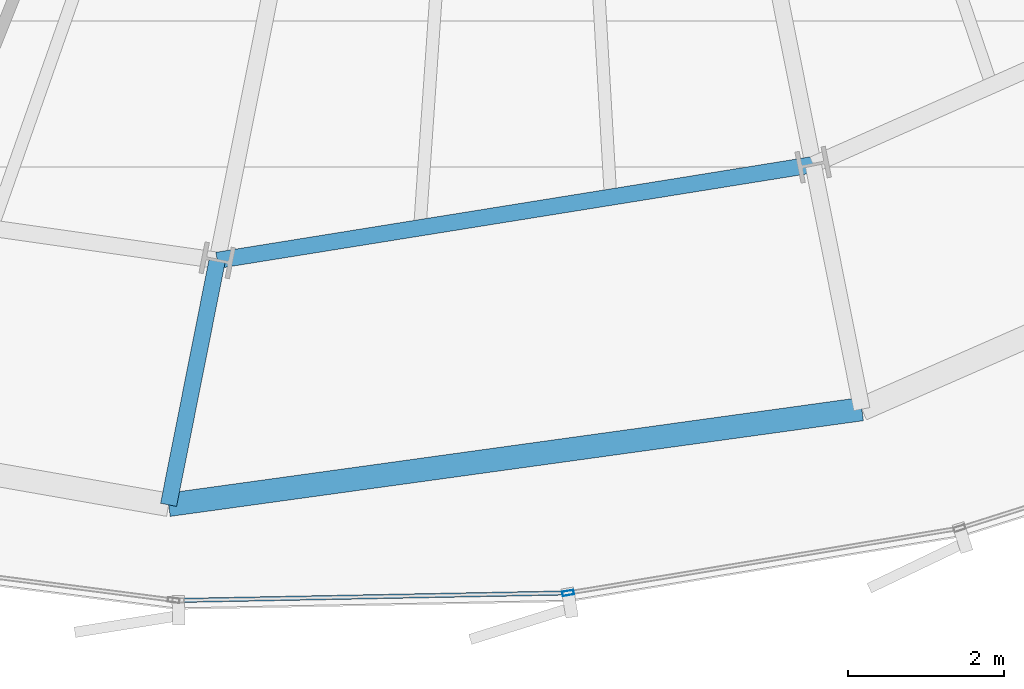
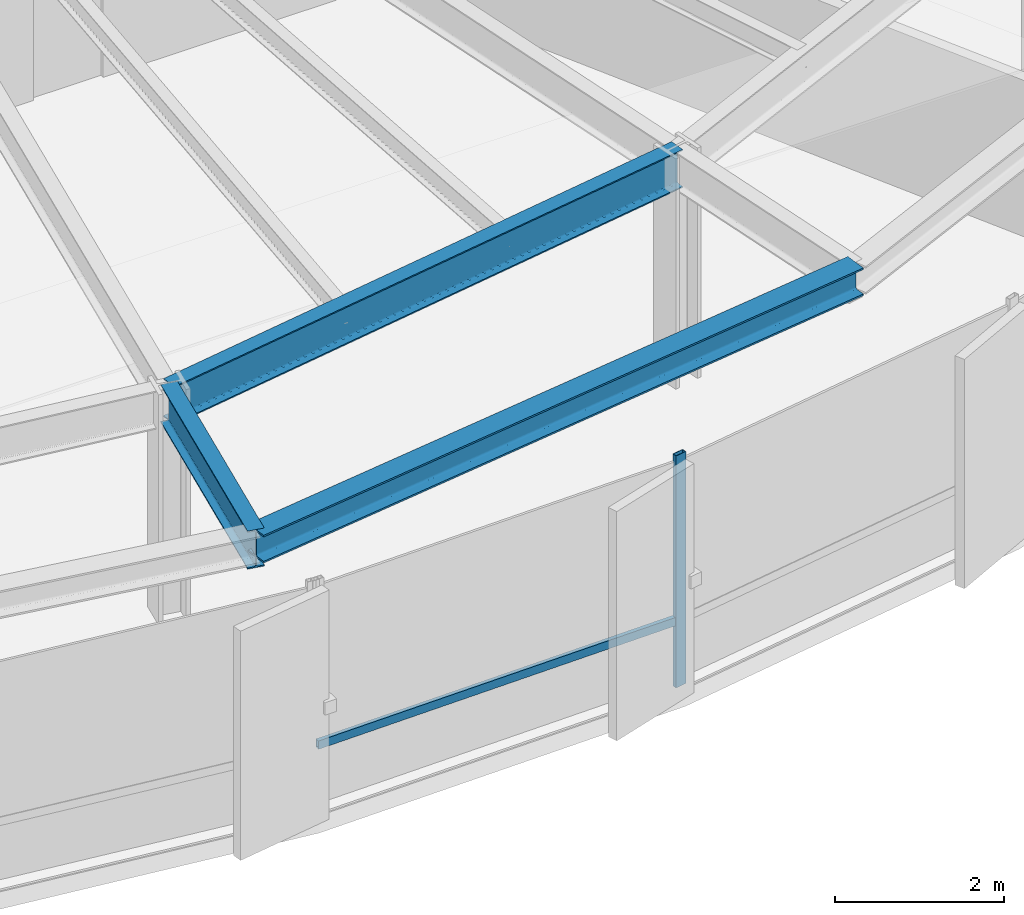
# One storey, part 6 of 35: 3 beams, 2 members, 1 element without a shape of its own.
"""IFC4 building model written with IfcOpenShell, lengths in metres."""

from ifc_helpers import new_model, si_unit, direction, frame, origin, origin_2d, place, context, subcontext, project, spatial, hollow_rectangle, i_section, extrude, source, transform, mapped, material, layer, layer_set, material_profile, profile_set, type_object, element, aggregate, save


model = new_model("IFC4")

# Units and contexts
model_context = context("Model", 3, precision=1e-05, world=origin(), true_north=direction((0.0, 1.0)))
body_context = subcontext(model_context, "Body", "Model", "MODEL_VIEW")
ifc_project = project(units=[si_unit("LENGTHUNIT", "METRE"), si_unit("AREAUNIT", "SQUARE_METRE"), si_unit("VOLUMEUNIT", "CUBIC_METRE"), si_unit("PLANEANGLEUNIT", "RADIAN"), si_unit("MASSUNIT", "GRAM", prefix="KILO"), si_unit("THERMODYNAMICTEMPERATUREUNIT", "KELVIN")], contexts=[model_context])

# Site, building, storey
site_placement = place(None, origin())
site = spatial("IfcSite", under=ifc_project, at=site_placement, CompositionType="ELEMENT")
building_placement = place(site_placement, origin())
building = spatial("IfcBuilding", under=site, at=building_placement, Name="Kethvar Cultural Tower", CompositionType="ELEMENT")
storey_placement = place(building_placement, frame((0.0, 0.0, 89.199951171875)))
storey = spatial("IfcBuildingStorey", under=building, at=storey_placement, Name="L21", CompositionType="ELEMENT", Elevation=89.199951171875)

# Beams
ifc_material_1 = material(Name="Steel S355J2", Category="steel")
ifc_material_profile_1 = material_profile(ifc_material_1, i_section(OverallWidth=0.2099609375, OverallDepth=0.550048828125, WebThickness=0.010986328125, FlangeThickness=0.01708984375, FilletRadius=0.02392578125, at=origin_2d()), Name="Steel S355J2 — IPE550")
ifc_profile_set_1 = profile_set([ifc_material_profile_1], Name="Steel S355J2 — IPE550")
beam_type_1 = type_object("IfcBeamType", Name="BM-IPE550", PredefinedType="BEAM", material=ifc_profile_set_1)
shared_shape_1 = source(origin(), body_context, "Body", "SweptSolid", [
    extrude(i_section(OverallWidth=0.2099609375, OverallDepth=0.550048828125, WebThickness=0.010986328125, FlangeThickness=0.01708984375, FilletRadius=0.02392578125, at=origin_2d()), origin(), (0.0, 0.0, 1.0), 3.2001953125),
])
beam_1_placement = place(storey_placement, frame((42.852294921875, 7.95361328125, 3.072998046875), z_axis=(-0.195074368086, -0.980788453702, 0.0), x_axis=(0.980788453702, -0.195074368086, 0.0)))
element("IfcBeam", 1, at=beam_1_placement, inside=storey, type_object=beam_type_1, Name="L21 Perimeter Cantilever Beam RC-12", PredefinedType="BEAM", context=body_context, shape_type="MappedRepresentation", body=[
    mapped(shared_shape_1, transform((0.0, 0.0, 0.0), scale=1.0)),
])
shared_shape_2 = source(origin(), body_context, "Body", "SweptSolid", [
    extrude(i_section(OverallWidth=0.2099609375, OverallDepth=0.550048828125, WebThickness=0.010986328125, FlangeThickness=0.01708984375, FilletRadius=0.02392578125, at=origin_2d()), origin(), (0.0, 0.0, 1.0), 7.749267578125),
])
beam_2_placement = place(storey_placement, frame((42.852294921875, 7.95361328125, 3.072998046875), z_axis=(0.987348257569, 0.158566762831, 0.0), x_axis=(-0.158566762831, 0.987348257569, 0.0)))
element("IfcBeam", 2, at=beam_2_placement, inside=storey, type_object=beam_type_1, Name="L21 Column Ring Tie Beam CR-12", PredefinedType="BEAM", context=body_context, shape_type="MappedRepresentation", body=[
    mapped(shared_shape_2, transform((0.0, 0.0, 0.0), scale=1.0)),
])
ifc_material_profile_2 = material_profile(ifc_material_1, i_section(OverallWidth=0.300048828125, OverallDepth=0.39990234375, WebThickness=0.013427734375, FlangeThickness=0.02392578125, FilletRadius=0.027099609375, at=origin_2d()), Name="Steel S355J2 — HEB400")
ifc_profile_set_2 = profile_set([ifc_material_profile_2], Name="Steel S355J2 — HEB400")
beam_type_2 = type_object("IfcBeamType", Name="BM-SP400", PredefinedType="SPANDREL", material=ifc_profile_set_2)
shared_shape_3 = source(origin(), body_context, "Body", "SweptSolid", [
    extrude(i_section(OverallWidth=0.300048828125, OverallDepth=0.39990234375, WebThickness=0.013427734375, FlangeThickness=0.02392578125, FilletRadius=0.027099609375, at=origin_2d()), origin(), (0.0, 0.0, 1.0), 8.984130859375),
])
beam_3_placement = place(storey_placement, frame((42.22802734375, 4.81494140625, 3.14794921875), z_axis=(0.990602728928, 0.136770733127, 0.0), x_axis=(-0.136770733127, 0.990602728928, 0.0)))
element("IfcBeam", 3, at=beam_3_placement, inside=storey, type_object=beam_type_2, Name="L21 Perimeter Spandrel Beam SP-12", PredefinedType="SPANDREL", context=body_context, shape_type="MappedRepresentation", body=[
    mapped(shared_shape_3, transform((0.0, 0.0, 0.0), scale=1.0)),
])

# Curtain wall, members
ifc_material_2 = material(Name="Aluminium 6063-T6", Category="aluminium")
ifc_layer = layer(ifc_material_2, 0.179931640625, Name="Aluminium 6063-T6", Category="aluminium")
ifc_layer_set = layer_set([ifc_layer], Name="Aluminium 6063-T6 (180 mm)")
curtain_wall_type = type_object("IfcCurtainWallType", Name="CW-SYS-03-Z2", PredefinedType="NOTDEFINED", material=ifc_layer_set)
curtain_wall_placement = place(storey_placement, origin())
curtain_wall = element("IfcCurtainWall", 4, at=curtain_wall_placement, inside=storey, type_object=curtain_wall_type, Name="L21 Curtain Wall Run 05", PredefinedType="NOTDEFINED")
ifc_material_profile_3 = material_profile(ifc_material_2, hollow_rectangle(XDim=0.06005859375, YDim=0.14990234375, WallThickness=0.0048828125, at=origin_2d()), Name="Aluminium 6063-T6 — RHS150x60x5")
ifc_profile_set_3 = profile_set([ifc_material_profile_3], Name="Aluminium 6063-T6 — RHS150x60x5")
member_type_1 = type_object("IfcMemberType", Name="CW-SYS-03-Z2-MUL", PredefinedType="MULLION", material=ifc_profile_set_3)
shared_shape_4 = source(origin(), body_context, "Body", "SweptSolid", [
    extrude(hollow_rectangle(XDim=0.06005859375, YDim=0.14990234375, WallThickness=0.0048828125, at=origin_2d()), origin(), (0.0, 0.0, 1.0), 3.35009765625),
])
member_1_placement = place(storey_placement, frame((47.35693359375, 3.68310546875, 0.0), z_axis=(0.0, 0.0, 1.0), x_axis=(-0.16327430522, 0.986580711982, 0.0)))
member_1 = element("IfcMember", 5, at=member_1_placement, type_object=member_type_1, Name="CW-L21-R05 Mullion 2", PredefinedType="MULLION", context=body_context, shape_type="MappedRepresentation", body=[
    mapped(shared_shape_4, transform((0.0, 0.0, 0.0), scale=1.0)),
])
ifc_material_profile_4 = material_profile(ifc_material_2, hollow_rectangle(XDim=0.054931640625, YDim=0.1201171875, WallThickness=0.00390625, at=origin_2d()), Name="Aluminium 6063-T6 — RHS120x55x4")
ifc_profile_set_4 = profile_set([ifc_material_profile_4], Name="Aluminium 6063-T6 — RHS120x55x4")
member_type_2 = type_object("IfcMemberType", Name="CW-SYS-03-Z2-TRN", PredefinedType="USERDEFINED", material=ifc_profile_set_4)
shared_shape_5 = source(origin(), body_context, "Body", "SweptSolid", [
    extrude(hollow_rectangle(XDim=0.054931640625, YDim=0.1201171875, WallThickness=0.00390625, at=origin_2d()), origin(), (0.0, 0.0, 1.0), 4.973388671875),
])
member_2_placement = place(storey_placement, frame((42.35791015625, 3.58740234375, 0.949951171875), z_axis=(0.999811987131, 0.019390471592, 0.0), x_axis=(-0.019390471592, 0.999811987131, 0.0)))
member_2 = element("IfcMember", 6, at=member_2_placement, type_object=member_type_2, Name="CW-L21-R05 Transom 1", ObjectType="TRANSOM", PredefinedType="USERDEFINED", context=body_context, shape_type="MappedRepresentation", body=[
    mapped(shared_shape_5, transform((0.0, 0.0, 0.0), scale=1.0)),
])
aggregate(curtain_wall, [member_1, member_2])

save(model, "model.ifc")
